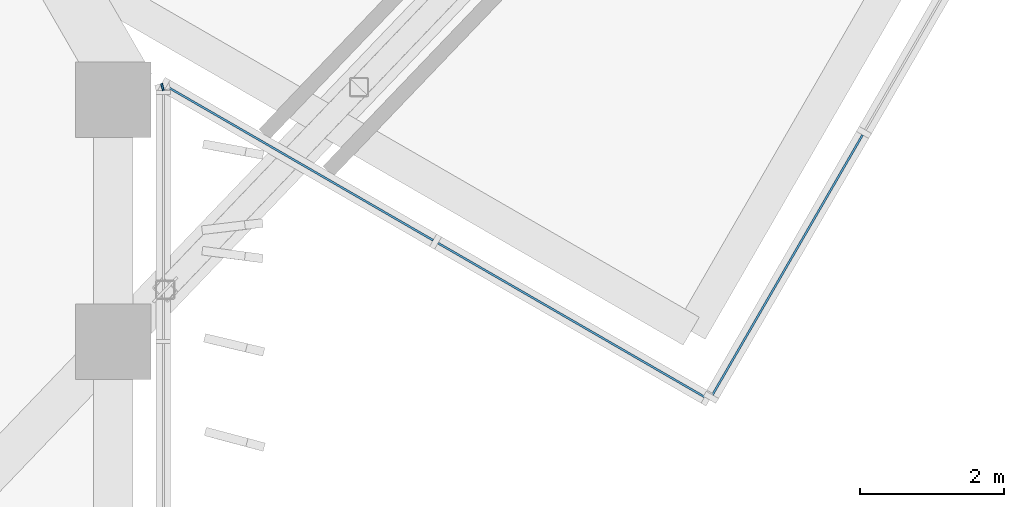
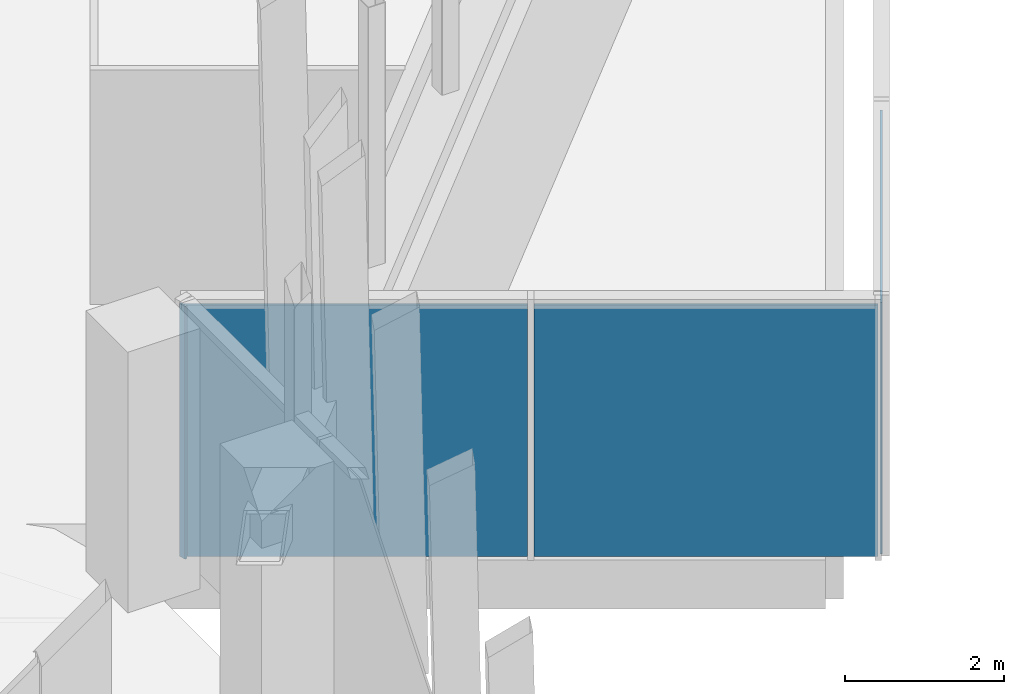
# One storey, part 16 of 31: 4 plates, 3 elements without a shape of their own.
"""IFC4 building model written with IfcOpenShell, lengths in metres."""

from ifc_helpers import new_model, si_unit, direction, frame, origin, origin_2d, place, context, subcontext, project, spatial, rectangle, extrude, material, layer, layer_set, type_object, element, aggregate, save


model = new_model("IFC4")

# Units and contexts
model_context = context("Model", 3, precision=1e-05, world=origin(), true_north=direction((0.0, 1.0)))
body_context = subcontext(model_context, "Body", "Model", "MODEL_VIEW")
ifc_project = project(units=[si_unit("LENGTHUNIT", "METRE"), si_unit("AREAUNIT", "SQUARE_METRE"), si_unit("VOLUMEUNIT", "CUBIC_METRE"), si_unit("PLANEANGLEUNIT", "RADIAN"), si_unit("MASSUNIT", "GRAM", prefix="KILO")], contexts=[model_context])

# Site, building, storey
site_placement = place(None, origin())
site = spatial("IfcSite", under=ifc_project, at=site_placement, CompositionType="ELEMENT")
building_placement = place(site_placement, origin())
building = spatial("IfcBuilding", under=site, at=building_placement, Name="Ayvan Gate Tower", CompositionType="ELEMENT")
storey_placement = place(building_placement, frame((0.0, 0.0, 135.89990234375)))
storey = spatial("IfcBuildingStorey", under=building, at=storey_placement, Name="L36", CompositionType="ELEMENT", Elevation=135.89990234375)

# Curtain wall, plates
ifc_material_1 = material(Name="Bronze anodised aluminium", Category="aluminium")
ifc_layer_1 = layer(ifc_material_1, 0.199951171875)
ifc_layer_set_1 = layer_set([ifc_layer_1], Name="Bronze anodised aluminium")
curtain_wall_type_1 = type_object("IfcCurtainWallType", Name="Stick curtain wall CW-4", PredefinedType="NOTDEFINED", material=ifc_layer_set_1)
curtain_wall_1_placement = place(storey_placement, origin())
curtain_wall_1 = element("IfcCurtainWall", 1, at=curtain_wall_1_placement, inside=storey, type_object=curtain_wall_type_1, Name="Stick curtain wall CW-4 L36", PredefinedType="NOTDEFINED")
ifc_material_2 = material(Name="Clear low-iron laminated glass", Category="glass")
ifc_layer_2 = layer(ifc_material_2, 0.028076171875)
ifc_layer_set_2 = layer_set([ifc_layer_2], Name="Clear low-iron laminated glass")
plate_type_1 = type_object("IfcPlateType", Name="Stick curtain wall CW-4 glass panel", PredefinedType="CURTAIN_PANEL", material=ifc_layer_set_2)
plate_1_placement = place(storey_placement, frame((25.88330078125, 5.33740234375, 0.0), z_axis=(0.0, 0.0, 1.0), x_axis=(0.866025403784, -0.5, 0.0)))
plate_1 = element("IfcPlate", 2, at=plate_1_placement, type_object=plate_type_1, Name="CW-4 glass panel 2", PredefinedType="CURTAIN_PANEL", context=body_context, shape_type="SweptSolid", body=[
    extrude(rectangle(XDim=4.325927734375, YDim=0.028076171875, at=origin_2d()), origin(), (0.0, 0.0, 1.0), 3.860107421875),
])
ifc_material_3 = material(Name="Pale anodised aluminium composite panel", Category="aluminium")
ifc_layer_3 = layer(ifc_material_3, 0.028076171875)
ifc_layer_set_3 = layer_set([ifc_layer_3], Name="Pale anodised aluminium composite panel")
plate_type_2 = type_object("IfcPlateType", Name="Stick curtain wall CW-4 solid panel", PredefinedType="CURTAIN_PANEL", material=ifc_layer_set_3)
plate_2_placement = place(storey_placement, frame((22.067626953125, 7.540283203125, 0.0), z_axis=(0.0, 0.0, 1.0), x_axis=(0.866025403784, -0.5, 0.0)))
plate_2 = element("IfcPlate", 3, at=plate_2_placement, type_object=plate_type_2, Name="CW-4 solid panel 1", PredefinedType="CURTAIN_PANEL", context=body_context, shape_type="SweptSolid", body=[
    extrude(rectangle(XDim=4.325927734375, YDim=0.028076171875, at=origin_2d()), origin(), (0.0, 0.0, 1.0), 3.860107421875),
])
aggregate(curtain_wall_1, [plate_2, plate_1])

# Curtain wall, plate
curtain_wall_2_placement = place(storey_placement, origin())
curtain_wall_2 = element("IfcCurtainWall", 4, at=curtain_wall_2_placement, inside=storey, type_object=curtain_wall_type_1, Name="Stick curtain wall CW-4 L36", PredefinedType="NOTDEFINED")
plate_3_placement = place(storey_placement, frame((28.8662109375, 6.09765625, 0.0), z_axis=(0.0, 0.0, 1.0), x_axis=(0.5, 0.866025403784, 0.0)))
plate_3 = element("IfcPlate", 5, at=plate_3_placement, type_object=plate_type_2, Name="CW-4 solid panel 1", PredefinedType="CURTAIN_PANEL", context=body_context, shape_type="SweptSolid", body=[
    extrude(rectangle(XDim=4.219970703125, YDim=0.028076171875, at=origin_2d()), origin(), (0.0, 0.0, 1.0), 3.860107421875),
])
aggregate(curtain_wall_2, [plate_3])

ifc_layer_4 = layer(ifc_material_1, 0.199951171875)
ifc_layer_set_4 = layer_set([ifc_layer_4], Name="Bronze anodised aluminium")
curtain_wall_type_2 = type_object("IfcCurtainWallType", Name="Stick curtain wall CW-6", PredefinedType="NOTDEFINED", material=ifc_layer_set_4)
curtain_wall_3_placement = place(storey_placement, origin())
curtain_wall_3 = element("IfcCurtainWall", 6, at=curtain_wall_3_placement, inside=storey, type_object=curtain_wall_type_2, Name="Stick curtain wall CW-6 L36", PredefinedType="NOTDEFINED")
ifc_layer_5 = layer(ifc_material_2, 0.028076171875)
ifc_layer_set_5 = layer_set([ifc_layer_5], Name="Clear low-iron laminated glass")
plate_type_3 = type_object("IfcPlateType", Name="Stick curtain wall CW-6 glass panel", PredefinedType="CURTAIN_PANEL", material=ifc_layer_set_5)
plate_4_placement = place(storey_placement, frame((20.172607421875, 8.59375, 0.000244140625), z_axis=(0.0, 0.0, 1.0), x_axis=(-0.258819045103, 0.965925826289, 0.0)))
plate_4 = element("IfcPlate", 7, at=plate_4_placement, type_object=plate_type_3, Name="CW-6 glass panel 1", PredefinedType="CURTAIN_PANEL", context=body_context, shape_type="SweptSolid", body=[
    extrude(rectangle(XDim=0.099365234375, YDim=0.028076171875, at=origin_2d()), origin(), (0.0, 0.0, 1.0), 3.8798828125),
])
aggregate(curtain_wall_3, [plate_4])

save(model, "model.ifc")
